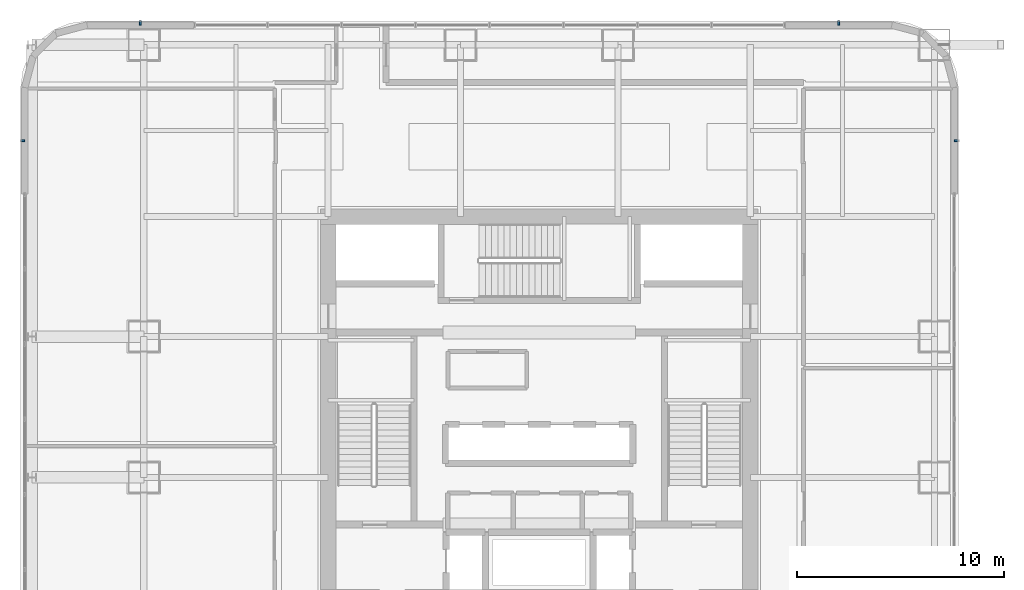
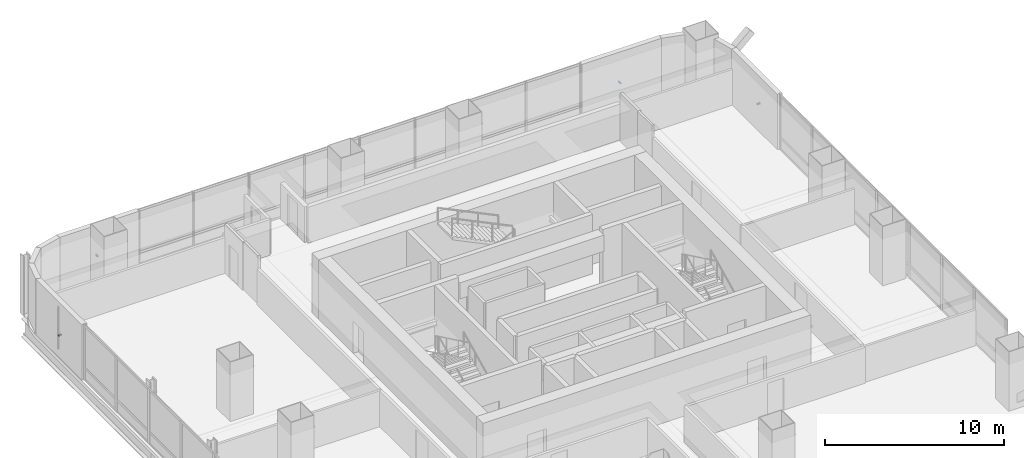
# One storey, part 33 of 45: 4 discrete accessories.
"""IFC4 building model written with IfcOpenShell, lengths in metres."""

from ifc_helpers import new_model, si_unit, direction, frame, origin, origin_2d, place, context, subcontext, project, spatial, rectangle, extrude, material, type_object, element, save


model = new_model("IFC4")

# Units and contexts
model_context = context("Model", 3, precision=1e-05, world=origin(), true_north=direction((0.0, 1.0)))
body_context = subcontext(model_context, "Body", "Model", "MODEL_VIEW")
ifc_project = project(units=[si_unit("LENGTHUNIT", "METRE"), si_unit("AREAUNIT", "SQUARE_METRE"), si_unit("VOLUMEUNIT", "CUBIC_METRE"), si_unit("PLANEANGLEUNIT", "RADIAN"), si_unit("MASSUNIT", "GRAM", prefix="KILO")], contexts=[model_context])

# Site, building, storey
site_placement = place(None, origin())
site = spatial("IfcSite", under=ifc_project, at=site_placement, CompositionType="ELEMENT")
building_placement = place(site_placement, origin())
building = spatial("IfcBuilding", under=site, at=building_placement, Name="Punatoya Terracotta Tower", CompositionType="ELEMENT")
storey_placement = place(building_placement, frame((0.0, 0.0, 56.550048828125)))
storey = spatial("IfcBuildingStorey", under=building, at=storey_placement, Name="L12", CompositionType="ELEMENT", Elevation=56.550048828125)

# Discrete accessories
ifc_material = material(Name="Steel S355", Category="steel")
discrete_accessory_type = type_object("IfcDiscreteAccessoryType", Name="ACC-BRK-220", PredefinedType="BRACKET", material=ifc_material)
for number, where, z_axis, x_axis, name in (
    (1, (20.14990234375, 12.868408203125, 1.449951171875), (0.0, 0.0, 1.0), (0.0, 1.0, 0.0), "L12 Jali Fin Support Bracket E2"),
    (2, (14.468505859375, 18.550048828125, 1.449951171875), (0.0, 0.0, 1.0), (-1.0, 0.0, 0.0), "L12 Jali Fin Support Bracket N1"),
    (3, (-19.2685546875, 18.550048828125, 1.449951171875), (0.0, 0.0, 1.0), (-1.0, 0.0, 0.0), "L12 Jali Fin Support Bracket N2"),
    (4, (-24.949951171875, 12.868408203125, 1.449951171875), (0.0, 0.0, 1.0), (0.0, -1.0, 0.0), "L12 Jali Fin Support Bracket W1"),
):
    element("IfcDiscreteAccessory", number, at=place(storey_placement, frame(where, z_axis=z_axis, x_axis=x_axis)), inside=storey, type_object=discrete_accessory_type, Name=name, PredefinedType="BRACKET", context=body_context, shape_type="SweptSolid", body=[
        extrude(rectangle(XDim=0.090087890625, YDim=0.219970703125, at=origin_2d()), origin(), (0.0, 0.0, 1.0), 0.10009765625),
    ])

save(model, "model.ifc")
